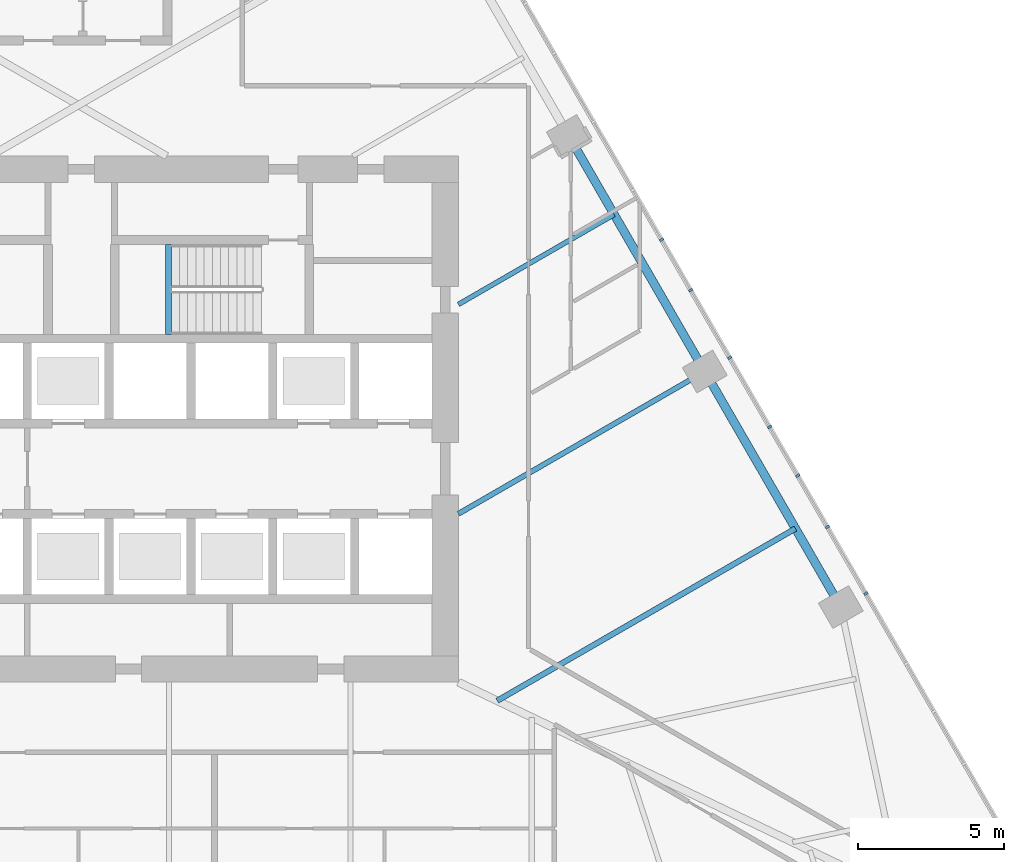
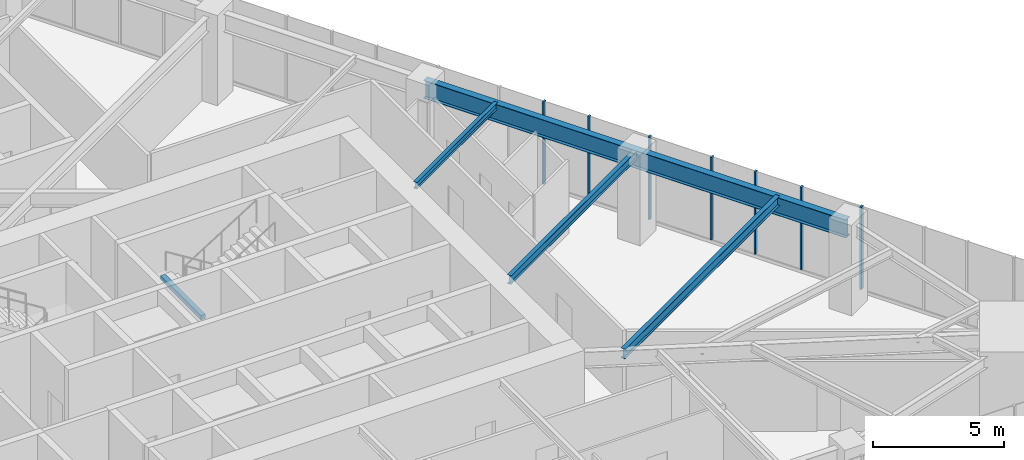
# One storey, part 6 of 25: 7 members, 5 beams, 1 element without a shape of its own.
"""IFC4 building model written with IfcOpenShell, lengths in metres."""

from ifc_helpers import new_model, si_unit, direction, frame, origin, origin_2d, place, context, subcontext, project, spatial, rectangle, i_section, extrude, material, layer, layer_set, material_profile, profile_set, type_object, element, aggregate, save


model = new_model("IFC4")

# Units and contexts
model_context = context("Model", 3, precision=1e-05, world=origin(), true_north=direction((0.0, 1.0)))
body_context = subcontext(model_context, "Body", "Model", "MODEL_VIEW")
ifc_project = project(units=[si_unit("LENGTHUNIT", "METRE"), si_unit("AREAUNIT", "SQUARE_METRE"), si_unit("VOLUMEUNIT", "CUBIC_METRE"), si_unit("PLANEANGLEUNIT", "RADIAN"), si_unit("MASSUNIT", "GRAM", prefix="KILO")], contexts=[model_context])

# Site, building, storey
site_placement = place(None, origin())
site = spatial("IfcSite", under=ifc_project, at=site_placement, CompositionType="ELEMENT")
building_placement = place(site_placement, origin())
building = spatial("IfcBuilding", under=site, at=building_placement, Name="Firuza Gate Tower and Library", CompositionType="ELEMENT")
storey_placement = place(building_placement, frame((0.0, 0.0, 119.800048828125)))
storey = spatial("IfcBuildingStorey", under=building, at=storey_placement, Name="L27", CompositionType="ELEMENT", Elevation=119.800048828125)

# Curtain wall, members
ifc_material_1 = material(Name="Aluminium 6063-T6", Category="aluminium")
ifc_layer = layer(ifc_material_1, 0.14990234375)
ifc_layer_set = layer_set([ifc_layer], Name="Unitised curtain wall, offices")
curtain_wall_type = type_object("IfcCurtainWallType", Name="Unitised curtain wall, offices", PredefinedType="NOTDEFINED", material=ifc_layer_set)
curtain_wall_placement = place(storey_placement, origin())
curtain_wall = element("IfcCurtainWall", 1, at=curtain_wall_placement, inside=storey, type_object=curtain_wall_type, Name="CW1 L27 E face", PredefinedType="NOTDEFINED")
ifc_material_2 = material(Name="Aluminium 6063-T6", Category="aluminium")
ifc_material_profile_1 = material_profile(ifc_material_2, rectangle(XDim=0.14990234375, YDim=0.080078125, at=origin_2d()))
ifc_profile_set_1 = profile_set([ifc_material_profile_1], Name="Aluminium 6063-T6")
member_type = type_object("IfcMemberType", Name="Curtain wall mullion 80x150", PredefinedType="MULLION", material=ifc_profile_set_1)
member_1_placement = place(storey_placement, frame((101.942138671875, 69.032470703125, 0.14990234375), z_axis=(0.0, 0.0, 1.0), x_axis=(-0.866025403784, -0.5, 0.0)))
member_1 = element("IfcMember", 2, at=member_1_placement, type_object=member_type, Name="Mullion", PredefinedType="MULLION", context=body_context, shape_type="SweptSolid", body=[
    extrude(rectangle(XDim=0.14990234375, YDim=0.080078125, at=origin_2d()), origin(), (0.0, 0.0, 1.0), 3.85009765625),
])
member_2_placement = place(storey_placement, frame((99.612060546875, 73.068115234375, 0.14990234375), z_axis=(0.0, 0.0, 1.0), x_axis=(-0.866025403784, -0.5, 0.0)))
member_2 = element("IfcMember", 3, at=member_2_placement, type_object=member_type, Name="Mullion", PredefinedType="MULLION", context=body_context, shape_type="SweptSolid", body=[
    extrude(rectangle(XDim=0.14990234375, YDim=0.080078125, at=origin_2d()), origin(), (0.0, 0.0, 1.0), 3.85009765625),
])
member_3_placement = place(storey_placement, frame((97.2822265625, 77.103515625, 0.14990234375), z_axis=(0.0, 0.0, 1.0), x_axis=(-0.866025403784, -0.5, 0.0)))
member_3 = element("IfcMember", 4, at=member_3_placement, type_object=member_type, Name="Mullion", PredefinedType="MULLION", context=body_context, shape_type="SweptSolid", body=[
    extrude(rectangle(XDim=0.14990234375, YDim=0.080078125, at=origin_2d()), origin(), (0.0, 0.0, 1.0), 3.85009765625),
])
member_4_placement = place(storey_placement, frame((94.952392578125, 81.138916015625, 0.14990234375), z_axis=(0.0, 0.0, 1.0), x_axis=(-0.866025403784, -0.5, 0.0)))
member_4 = element("IfcMember", 5, at=member_4_placement, type_object=member_type, Name="Mullion", PredefinedType="MULLION", context=body_context, shape_type="SweptSolid", body=[
    extrude(rectangle(XDim=0.14990234375, YDim=0.080078125, at=origin_2d()), origin(), (0.0, 0.0, 1.0), 3.85009765625),
])
member_5_placement = place(storey_placement, frame((100.62646484375, 71.311279296875, 0.14990234375), z_axis=(0.0, 0.0, 1.0), x_axis=(-0.866025403784, -0.5, 0.0)))
member_5 = element("IfcMember", 6, at=member_5_placement, type_object=member_type, Name="Mullion", PredefinedType="MULLION", context=body_context, shape_type="SweptSolid", body=[
    extrude(rectangle(XDim=0.14990234375, YDim=0.080078125, at=origin_2d()), origin(), (0.0, 0.0, 1.0), 3.85009765625),
])
member_6_placement = place(storey_placement, frame((98.64990234375, 74.734619140625, 0.14990234375), z_axis=(0.0, 0.0, 1.0), x_axis=(-0.866025403784, -0.5, 0.0)))
member_6 = element("IfcMember", 7, at=member_6_placement, type_object=member_type, Name="Mullion", PredefinedType="MULLION", context=body_context, shape_type="SweptSolid", body=[
    extrude(rectangle(XDim=0.14990234375, YDim=0.080078125, at=origin_2d()), origin(), (0.0, 0.0, 1.0), 3.85009765625),
])
member_7_placement = place(storey_placement, frame((95.94921875, 79.412109375, 0.14990234375), z_axis=(0.0, 0.0, 1.0), x_axis=(-0.866025403784, -0.5, 0.0)))
member_7 = element("IfcMember", 8, at=member_7_placement, type_object=member_type, Name="Mullion", PredefinedType="MULLION", context=body_context, shape_type="SweptSolid", body=[
    extrude(rectangle(XDim=0.14990234375, YDim=0.080078125, at=origin_2d()), origin(), (0.0, 0.0, 1.0), 3.85009765625),
])
aggregate(curtain_wall, [member_1, member_2, member_3, member_4, member_5, member_6, member_7])

# Beams
ifc_material_3 = material(Name="Concrete C35/45", Category="concrete")
ifc_material_profile_2 = material_profile(ifc_material_3, rectangle(XDim=0.199951171875, YDim=0.199951171875, at=origin_2d()))
ifc_profile_set_2 = profile_set([ifc_material_profile_2], Name="Concrete C35/45")
beam_type_1 = type_object("IfcBeamType", Name="Stair landing bearer 200x200", PredefinedType="BEAM", material=ifc_profile_set_2)
beam_1_placement = place(storey_placement, frame((78.080078125, 80.97998046875, 1.800048828125), z_axis=(0.0, -1.0, 0.0), x_axis=(1.0, 0.0, 0.0)))
element("IfcBeam", 9, at=beam_1_placement, inside=storey, type_object=beam_type_1, Name="Landing bearer L27 stair 2", PredefinedType="BEAM", context=body_context, shape_type="SweptSolid", body=[
    extrude(rectangle(XDim=0.199951171875, YDim=0.199951171875, at=origin_2d()), origin(), (0.0, 0.0, 1.0), 3.080078125),
])
ifc_material_4 = material(Name="Steel S355", Category="steel")
ifc_material_profile_3 = material_profile(ifc_material_4, i_section(OverallWidth=0.1650390625, OverallDepth=0.31005859375, WebThickness=0.005859375, FlangeThickness=0.009765625, at=origin_2d()))
ifc_profile_set_3 = profile_set([ifc_material_profile_3], Name="Steel S355")
beam_type_2 = type_object("IfcBeamType", Name="W310x39 Floor beam", PredefinedType="JOIST", material=ifc_profile_set_3)
beam_2_placement = place(storey_placement, frame((93.3291015625, 82.000732421875, 3.844970703125), z_axis=(-0.866032304456, -0.499988047496, 0.0), x_axis=(0.499988047496, -0.866032304456, 0.0)))
element("IfcBeam", 10, at=beam_2_placement, inside=storey, type_object=beam_type_2, Name="Floor beam L27 s52", PredefinedType="JOIST", context=body_context, shape_type="SweptSolid", body=[
    extrude(i_section(OverallWidth=0.1650390625, OverallDepth=0.31005859375, WebThickness=0.005859375, FlangeThickness=0.009765625, at=origin_2d()), origin(), (0.0, 0.0, 1.0), 6.153564453125),
])
ifc_material_5 = material(Name="Steel S355", Category="steel")
ifc_material_profile_4 = material_profile(ifc_material_5, i_section(OverallWidth=0.177978515625, OverallDepth=0.406982421875, WebThickness=0.0078125, FlangeThickness=0.0126953125, at=origin_2d()))
ifc_profile_set_4 = profile_set([ifc_material_profile_4], Name="Steel S355")
beam_type_3 = type_object("IfcBeamType", Name="W410x60 Floor beam", PredefinedType="JOIST", material=ifc_profile_set_4)
beam_3_placement = place(storey_placement, frame((96.4306640625, 76.62841796875, 3.79638671875), z_axis=(-0.866026049877, -0.499998880933, 0.0), x_axis=(0.499998880933, -0.866026049877, 0.0)))
element("IfcBeam", 11, at=beam_3_placement, inside=storey, type_object=beam_type_3, Name="Floor beam L27 s51", PredefinedType="JOIST", context=body_context, shape_type="SweptSolid", body=[
    extrude(i_section(OverallWidth=0.177978515625, OverallDepth=0.406982421875, WebThickness=0.0078125, FlangeThickness=0.0126953125, at=origin_2d()), origin(), (0.0, 0.0, 1.0), 9.73486328125),
])
ifc_material_6 = material(Name="Steel S355", Category="steel")
ifc_material_profile_5 = material_profile(ifc_material_6, i_section(OverallWidth=0.18994140625, OverallDepth=0.45703125, WebThickness=0.009033203125, FlangeThickness=0.014404296875, at=origin_2d()))
ifc_profile_set_5 = profile_set([ifc_material_profile_5], Name="Steel S355")
beam_type_4 = type_object("IfcBeamType", Name="W460x74 Floor beam", PredefinedType="JOIST", material=ifc_profile_set_5)
beam_4_placement = place(storey_placement, frame((99.532470703125, 71.256103515625, 3.771484375), z_axis=(-0.866031359964, -0.499989683453, 0.0), x_axis=(0.499989683453, -0.866031359964, 0.0)))
element("IfcBeam", 12, at=beam_4_placement, inside=storey, type_object=beam_type_4, Name="Floor beam L27 s50", PredefinedType="JOIST", context=body_context, shape_type="SweptSolid", body=[
    extrude(i_section(OverallWidth=0.18994140625, OverallDepth=0.45703125, WebThickness=0.009033203125, FlangeThickness=0.014404296875, at=origin_2d()), origin(), (0.0, 0.0, 1.0), 11.783447265625),
])
ifc_material_7 = material(Name="Steel S355", Category="steel")
ifc_material_profile_6 = material_profile(ifc_material_7, i_section(OverallWidth=0.2919921875, OverallDepth=0.8349609375, WebThickness=0.013916015625, FlangeThickness=0.018798828125, at=origin_2d()))
ifc_profile_set_6 = profile_set([ifc_material_profile_6], Name="Steel S355")
beam_type_5 = type_object("IfcBeamType", Name="W840x176 Edge beam", PredefinedType="SPANDREL", material=ifc_profile_set_6)
beam_5_placement = place(storey_placement, frame((101.083251953125, 68.570068359375, 3.58251953125), z_axis=(-0.500007864632, 0.86602086309, 0.0), x_axis=(-0.86602086309, -0.500007864632, 0.0)))
element("IfcBeam", 13, at=beam_5_placement, inside=storey, type_object=beam_type_5, Name="Edge beam L27 e50", PredefinedType="SPANDREL", context=body_context, shape_type="SweptSolid", body=[
    extrude(i_section(OverallWidth=0.2919921875, OverallDepth=0.8349609375, WebThickness=0.013916015625, FlangeThickness=0.018798828125, at=origin_2d()), origin(), (0.0, 0.0, 1.0), 18.610107421875),
])

save(model, "model.ifc")
